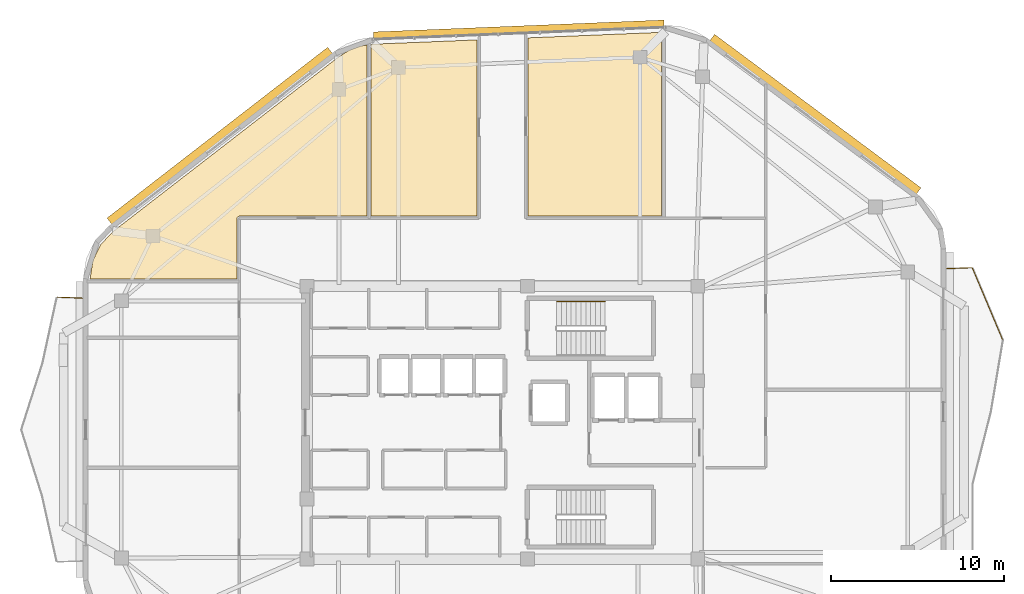
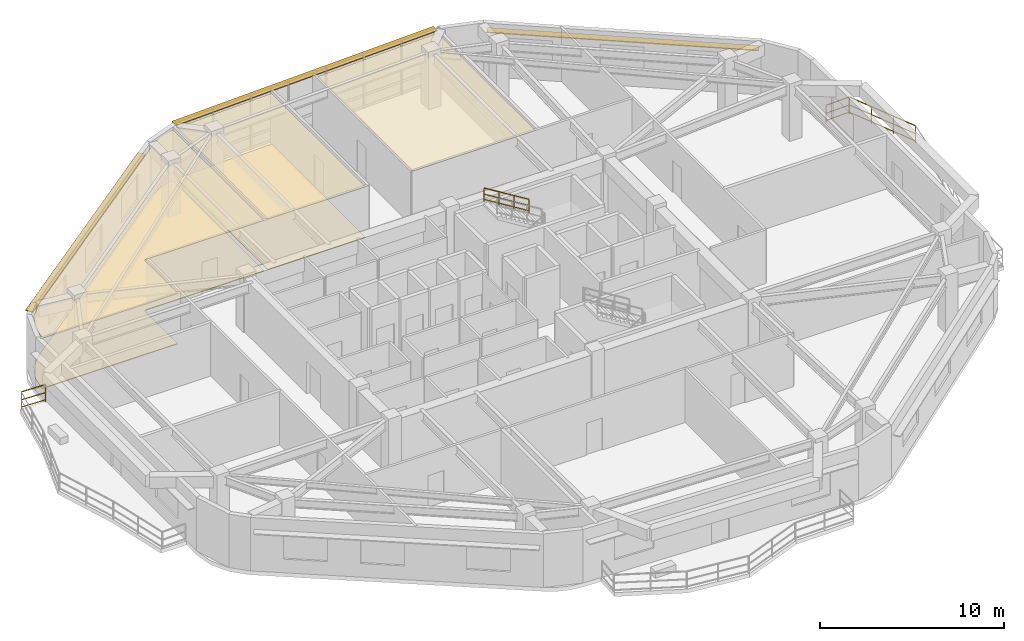
# One storey, part 12 of 12: 5 coverings, 4 railings, 3 shading devices.
"""IFC4 building model written with IfcOpenShell, lengths in metres."""

from ifc_helpers import new_model, si_unit, direction, frame, origin, origin_2d, place, context, subcontext, project, spatial, polyline, rectangle, outline, extrude, material, layer, layer_set, type_object, element, save


model = new_model("IFC4")

# Units and contexts
model_context = context("Model", 3, precision=1e-05, world=origin(), true_north=direction((0.0, 1.0)))
body_context = subcontext(model_context, "Body", "Model", "MODEL_VIEW")
ifc_project = project(units=[si_unit("LENGTHUNIT", "METRE"), si_unit("AREAUNIT", "SQUARE_METRE"), si_unit("VOLUMEUNIT", "CUBIC_METRE"), si_unit("PLANEANGLEUNIT", "RADIAN"), si_unit("MASSUNIT", "GRAM", prefix="KILO")], contexts=[model_context])

# Site, building, storey
site_placement = place(None, origin())
site = spatial("IfcSite", under=ifc_project, at=site_placement, CompositionType="ELEMENT")
building_placement = place(site_placement, origin())
building = spatial("IfcBuilding", under=site, at=building_placement, Name="Zulverin Broadcast Headquarters", CompositionType="ELEMENT")
storey_placement = place(building_placement, frame((0.0, 0.0, 289.60009765625)))
storey = spatial("IfcBuildingStorey", under=building, at=storey_placement, Name="L74", CompositionType="ELEMENT", Elevation=289.60009765625)

# Coverings
ifc_material_1 = material(Name="Perforated pale-metal acoustic baffle ceiling", Category="aluminium")
ifc_layer_1 = layer(ifc_material_1, 0.0400390625, Name="Perforated pale-metal acoustic baffle ceiling", Category="aluminium")
ifc_layer_set_1 = layer_set([ifc_layer_1], Name="Perforated pale-metal acoustic baffle ceiling")
covering_type_1 = type_object("IfcCoveringType", Name="COV-CEIL-ACOU", PredefinedType="CEILING", material=ifc_layer_set_1)
covering_1_placement = place(storey_placement, frame((0.0, 0.0, 3.35986328125)))
element("IfcCovering", 1, at=covering_1_placement, inside=storey, type_object=covering_type_1, Name="L74 Acoustic Baffle Ceiling 01", PredefinedType="CEILING", context=body_context, shape_type="SweptSolid", body=[
    extrude(outline(polyline([(28.16796875, 46.7080078125), (27.555908203125, 46.327880859375), (14.5439453125, 36.256103515625), (13.81201171875, 35.488037109375), (13.360107421875, 34.56396484375), (13.199951171875, 33.52001953125), (13.199951171875, 33.5), (21.679931640625, 33.5), (21.679931640625, 37.0), (21.679931640625, 37.011962890625), (21.68408203125, 37.02392578125), (21.68408203125, 37.035888671875), (21.68798828125, 37.0439453125), (21.696044921875, 37.055908203125), (21.699951171875, 37.068115234375), (21.7080078125, 37.075927734375), (21.716064453125, 37.083984375), (21.72412109375, 37.092041015625), (21.73193359375, 37.10009765625), (21.743896484375, 37.10400390625), (21.756103515625, 37.112060546875), (21.763916015625, 37.115966796875), (21.77587890625, 37.115966796875), (21.7880859375, 37.1201171875), (21.800048828125, 37.1201171875), (29.179931640625, 37.1201171875), (29.179931640625, 46.99609375), (28.823974609375, 46.947998046875), (28.16796875, 46.7080078125)])), origin(), (0.0, 0.0, 1.0), 0.0400390625),
])
covering_2_placement = place(storey_placement, frame((0.0, 0.0, 3.35986328125)))
element("IfcCovering", 2, at=covering_2_placement, inside=storey, type_object=covering_type_1, Name="L74 Acoustic Baffle Ceiling 02", PredefinedType="CEILING", context=body_context, shape_type="SweptSolid", body=[
    extrude(outline(polyline([(29.535888671875, 47.052001953125), (29.419921875, 47.031982421875), (29.419921875, 37.1201171875), (35.531982421875, 37.1201171875), (35.531982421875, 47.300048828125), (29.535888671875, 47.052001953125)])), origin(), (0.0, 0.0, 1.0), 0.0400390625),
])
covering_3_placement = place(storey_placement, frame((0.0, 0.0, 3.35986328125)))
element("IfcCovering", 3, at=covering_3_placement, inside=storey, type_object=covering_type_1, Name="L74 Acoustic Baffle Ceiling 03", PredefinedType="CEILING", context=body_context, shape_type="SweptSolid", body=[
    extrude(outline(polyline([(38.471923828125, 47.416015625), (38.471923828125, 37.1201171875), (46.179931640625, 37.1201171875), (46.179931640625, 47.736083984375), (38.471923828125, 47.416015625)])), origin(), (0.0, 0.0, 1.0), 0.0400390625),
])
ifc_material_2 = material(Name="Anti-static broadcast raised access flooring", Category="stone")
ifc_layer_2 = layer(ifc_material_2, 0.050048828125, Name="Anti-static broadcast raised access flooring", Category="stone")
ifc_layer_set_2 = layer_set([ifc_layer_2], Name="Anti-static broadcast raised access flooring")
covering_type_2 = type_object("IfcCoveringType", Name="COV-FLR-RAISED", PredefinedType="FLOORING", material=ifc_layer_set_2)
covering_4_placement = place(storey_placement, origin())
element("IfcCovering", 4, at=covering_4_placement, inside=storey, type_object=covering_type_2, Name="L74 Broadcast Raised Access Flooring 01", PredefinedType="FLOORING", context=body_context, shape_type="SweptSolid", body=[
    extrude(outline(polyline([(28.16796875, 46.7080078125), (27.555908203125, 46.327880859375), (14.5439453125, 36.256103515625), (13.81201171875, 35.488037109375), (13.360107421875, 34.56396484375), (13.199951171875, 33.52001953125), (13.199951171875, 33.5), (21.679931640625, 33.5), (21.679931640625, 37.0), (21.679931640625, 37.011962890625), (21.68408203125, 37.02392578125), (21.68408203125, 37.035888671875), (21.68798828125, 37.0439453125), (21.696044921875, 37.055908203125), (21.699951171875, 37.068115234375), (21.7080078125, 37.075927734375), (21.716064453125, 37.083984375), (21.72412109375, 37.092041015625), (21.73193359375, 37.10009765625), (21.743896484375, 37.10400390625), (21.756103515625, 37.112060546875), (21.763916015625, 37.115966796875), (21.77587890625, 37.115966796875), (21.7880859375, 37.1201171875), (21.800048828125, 37.1201171875), (29.179931640625, 37.1201171875), (29.179931640625, 46.99609375), (28.823974609375, 46.947998046875), (28.16796875, 46.7080078125)])), origin(), (0.0, 0.0, 1.0), 0.0498046875),
])
covering_5_placement = place(storey_placement, origin())
element("IfcCovering", 5, at=covering_5_placement, inside=storey, type_object=covering_type_2, Name="L74 Broadcast Raised Access Flooring 02", PredefinedType="FLOORING", context=body_context, shape_type="SweptSolid", body=[
    extrude(outline(polyline([(29.535888671875, 47.052001953125), (29.419921875, 47.031982421875), (29.419921875, 37.1201171875), (35.531982421875, 37.1201171875), (35.531982421875, 47.300048828125), (29.535888671875, 47.052001953125)])), origin(), (0.0, 0.0, 1.0), 0.0498046875),
])

# Railings
ifc_material_3 = material(Name="Brushed stainless steel & laminated glass balustrade", Category="steel")
railing_type_1 = type_object("IfcRailingType", Name="RL-GUARD-1150", PredefinedType="GUARDRAIL", material=ifc_material_3)
railing_1_placement = place(storey_placement, frame((65.8681640625, 30.000244140625, 0.0)))
element("IfcRailing", 6, at=railing_1_placement, inside=storey, type_object=railing_type_1, Name="L74 Vertical-Forest Balcony Guardrail BAL_E Segment 05", PredefinedType="GUARDRAIL", context=body_context, shape_type="SweptSolid", body=[
    extrude(rectangle(XDim=0.048095703125, YDim=0.048095703125, at=origin_2d()), frame((0.0, 0.0, 1.1259765625), z_axis=(-0.388239386157, 0.921558559743, 0.0), x_axis=(-0.921558559743, -0.388239386157, 0.0)), (0.0, 0.0, 1.0), 4.488037109375),
    extrude(rectangle(XDim=0.0419921875, YDim=0.0419921875, at=origin_2d()), frame((0.0, 0.0, 0.597900390625), z_axis=(-0.388239386157, 0.921558559743, 0.0), x_axis=(-0.921558559743, -0.388239386157, 0.0)), (0.0, 0.0, 1.0), 4.488037109375),
    extrude(rectangle(XDim=0.0419921875, YDim=0.0419921875, at=origin_2d()), frame((0.0, 0.0, 0.1201171875), z_axis=(-0.388239386157, 0.921558559743, 0.0), x_axis=(-0.921558559743, -0.388239386157, 0.0)), (0.0, 0.0, 1.0), 4.488037109375),
    extrude(rectangle(XDim=0.0419921875, YDim=0.0419921875, at=origin_2d()), origin(), (0.0, 0.0, 1.0), 1.101806640625),
    extrude(rectangle(XDim=0.0419921875, YDim=0.0419921875, at=origin_2d()), frame((-0.580810546875, 1.378662109375, 0.0)), (0.0, 0.0, 1.0), 1.101806640625),
    extrude(rectangle(XDim=0.0419921875, YDim=0.0419921875, at=origin_2d()), frame((-1.16162109375, 2.75732421875, 0.0)), (0.0, 0.0, 1.0), 1.101806640625),
    extrude(rectangle(XDim=0.0419921875, YDim=0.0419921875, at=origin_2d()), frame((-1.742431640625, 4.135986328125, 0.0)), (0.0, 0.0, 1.0), 1.101806640625),
])
railing_2_placement = place(storey_placement, frame((64.10498046875, 34.1494140625, 0.0)))
element("IfcRailing", 7, at=railing_2_placement, inside=storey, type_object=railing_type_1, Name="L74 Vertical-Forest Balcony Guardrail BAL_E Segment 06", PredefinedType="GUARDRAIL", context=body_context, shape_type="SweptSolid", body=[
    extrude(rectangle(XDim=0.048095703125, YDim=0.048095703125, at=origin_2d()), frame((0.0, 0.0, 1.1259765625), z_axis=(-0.999181155166, -0.040460093435, 0.0), x_axis=(0.040460093435, -0.999181155166, 0.0)), (0.0, 0.0, 1.0), 1.46630859375),
    extrude(rectangle(XDim=0.0419921875, YDim=0.0419921875, at=origin_2d()), frame((0.0, 0.0, 0.597900390625), z_axis=(-0.999181155166, -0.040460093435, 0.0), x_axis=(0.040460093435, -0.999181155166, 0.0)), (0.0, 0.0, 1.0), 1.46630859375),
    extrude(rectangle(XDim=0.0419921875, YDim=0.0419921875, at=origin_2d()), frame((0.0, 0.0, 0.1201171875), z_axis=(-0.999181155166, -0.040460093435, 0.0), x_axis=(0.040460093435, -0.999181155166, 0.0)), (0.0, 0.0, 1.0), 1.46630859375),
    extrude(rectangle(XDim=0.0419921875, YDim=0.0419921875, at=origin_2d()), origin(), (0.0, 0.0, 1.0), 1.101806640625),
    extrude(rectangle(XDim=0.0419921875, YDim=0.0419921875, at=origin_2d()), frame((-1.465087890625, -0.059326171875, 0.0)), (0.0, 0.0, 1.0), 1.101806640625),
])
railing_3_placement = place(storey_placement, frame((12.760009765625, 32.387939453125, 0.0)))
element("IfcRailing", 8, at=railing_3_placement, inside=storey, type_object=railing_type_1, Name="L74 Vertical-Forest Balcony Guardrail BAL_W Segment 01", PredefinedType="GUARDRAIL", context=body_context, shape_type="SweptSolid", body=[
    extrude(rectangle(XDim=0.048095703125, YDim=0.048095703125, at=origin_2d()), frame((0.0, 0.0, 1.1259765625), z_axis=(-0.999174410196, 0.040626321628, 0.0), x_axis=(-0.040626321628, -0.999174410196, 0.0)), (0.0, 0.0, 1.0), 1.46630859375),
    extrude(rectangle(XDim=0.0419921875, YDim=0.0419921875, at=origin_2d()), frame((0.0, 0.0, 0.597900390625), z_axis=(-0.999174410196, 0.040626321628, 0.0), x_axis=(-0.040626321628, -0.999174410196, 0.0)), (0.0, 0.0, 1.0), 1.46630859375),
    extrude(rectangle(XDim=0.0419921875, YDim=0.0419921875, at=origin_2d()), frame((0.0, 0.0, 0.1201171875), z_axis=(-0.999174410196, 0.040626321628, 0.0), x_axis=(-0.040626321628, -0.999174410196, 0.0)), (0.0, 0.0, 1.0), 1.46630859375),
    extrude(rectangle(XDim=0.0419921875, YDim=0.0419921875, at=origin_2d()), origin(), (0.0, 0.0, 1.0), 1.101806640625),
    extrude(rectangle(XDim=0.0419921875, YDim=0.0419921875, at=origin_2d()), frame((-1.465087890625, 0.0595703125, 0.0)), (0.0, 0.0, 1.0), 1.101806640625),
])
ifc_material_4 = material(Name="Brushed stainless steel 48 mm handrail", Category="steel")
railing_type_2 = type_object("IfcRailingType", Name="RL-ST-HAND", PredefinedType="HANDRAIL", material=ifc_material_4)
railing_4_placement = place(storey_placement, frame((42.929931640625, 32.199951171875, 2.072509765625)))
element("IfcRailing", 9, at=railing_4_placement, inside=storey, type_object=railing_type_2, Name="L74 ST-1 stair handrail 2", PredefinedType="HANDRAIL", context=body_context, shape_type="SweptSolid", body=[
    extrude(rectangle(XDim=0.048095703125, YDim=0.048095703125, at=origin_2d()), frame((0.0, 0.0, 0.8759765625), z_axis=(-0.851089632645, 0.0, 0.525020415988), x_axis=(0.0, -1.0, 0.0)), (0.0, 0.0, 1.0), 3.2900390625),
    extrude(rectangle(XDim=0.0419921875, YDim=0.0419921875, at=origin_2d()), frame((0.0, 0.0, 0.468017578125), z_axis=(-0.851089632645, 0.0, 0.525020415988), x_axis=(0.0, -1.0, 0.0)), (0.0, 0.0, 1.0), 3.2900390625),
    extrude(rectangle(XDim=0.0419921875, YDim=0.0419921875, at=origin_2d()), frame((0.0, 0.0, 0.1201171875), z_axis=(-0.851089632645, 0.0, 0.525020415988), x_axis=(0.0, -1.0, 0.0)), (0.0, 0.0, 1.0), 3.2900390625),
    extrude(rectangle(XDim=0.0419921875, YDim=0.0419921875, at=origin_2d()), origin(), (0.0, 0.0, 1.0), 0.851806640625),
    extrude(rectangle(XDim=0.0419921875, YDim=0.0419921875, at=origin_2d()), frame((-0.933349609375, 0.0, 0.57568359375)), (0.0, 0.0, 1.0), 0.851806640625),
    extrude(rectangle(XDim=0.0419921875, YDim=0.0419921875, at=origin_2d()), frame((-1.86669921875, 0.0, 1.151611328125)), (0.0, 0.0, 1.0), 0.851806640625),
    extrude(rectangle(XDim=0.0419921875, YDim=0.0419921875, at=origin_2d()), frame((-2.800048828125, 0.0, 1.727294921875)), (0.0, 0.0, 1.0), 0.851806640625),
])

# Shading devices
ifc_material_5 = material(Name="Anodized pale-metal aluminium sunshade", Category="aluminium")
ifc_layer_3 = layer(ifc_material_5, 0.06005859375, Name="Anodized pale-metal aluminium sunshade", Category="aluminium")
ifc_layer_set_3 = layer_set([ifc_layer_3], Name="Anodized pale-metal aluminium sunshade")
shading_device_type = type_object("IfcShadingDeviceType", Name="SS-01_PALE_METAL_ALUMINIUM_SUNSHADE", PredefinedType="USERDEFINED", material=ifc_layer_set_3)
shading_device_1_placement = place(storey_placement, frame((55.068603515625, 43.009033203125, 2.7099609375), z_axis=(0.0, 0.0, 1.0), x_axis=(-0.802486437986, 0.596670358614, 0.0)))
element("IfcShadingDevice", 10, at=shading_device_1_placement, inside=storey, type_object=shading_device_type, Name="L74 Horizontal Pale-Metal Sunshade Band 4", ObjectType="SUNSHADE", PredefinedType="USERDEFINED", context=body_context, shape_type="SweptSolid", body=[
    extrude(rectangle(XDim=14.84765625, YDim=0.449951171875, at=origin_2d()), origin(), (0.0, 0.0, 1.0), 0.06005859375),
])
shading_device_2_placement = place(storey_placement, frame((37.9501953125, 47.877197265625, 3.309814453125), z_axis=(0.0, 0.0, 1.0), x_axis=(-0.999156343069, -0.041068261531, 0.0)))
element("IfcShadingDevice", 11, at=shading_device_2_placement, inside=storey, type_object=shading_device_type, Name="L74 Pale-Metal Horizontal Sunshade Band CW-L74-E5", ObjectType="SUNSHADE", PredefinedType="USERDEFINED", context=body_context, shape_type="SweptSolid", body=[
    extrude(rectangle(XDim=16.783203125, YDim=0.449951171875, at=origin_2d()), origin(), (0.0, 0.0, 1.0), 0.06005859375),
])
shading_device_3_placement = place(storey_placement, frame((20.67919921875, 41.763671875, 2.7099609375), z_axis=(0.0, 0.0, 1.0), x_axis=(-0.790792140634, -0.612084790132, 0.0)))
element("IfcShadingDevice", 12, at=shading_device_3_placement, inside=storey, type_object=shading_device_type, Name="L74 Horizontal Pale-Metal Sunshade Band 6", ObjectType="SUNSHADE", PredefinedType="USERDEFINED", context=body_context, shape_type="SweptSolid", body=[
    extrude(rectangle(XDim=16.109130859375, YDim=0.449951171875, at=origin_2d()), origin(), (0.0, 0.0, 1.0), 0.06005859375),
])

save(model, "model.ifc")
